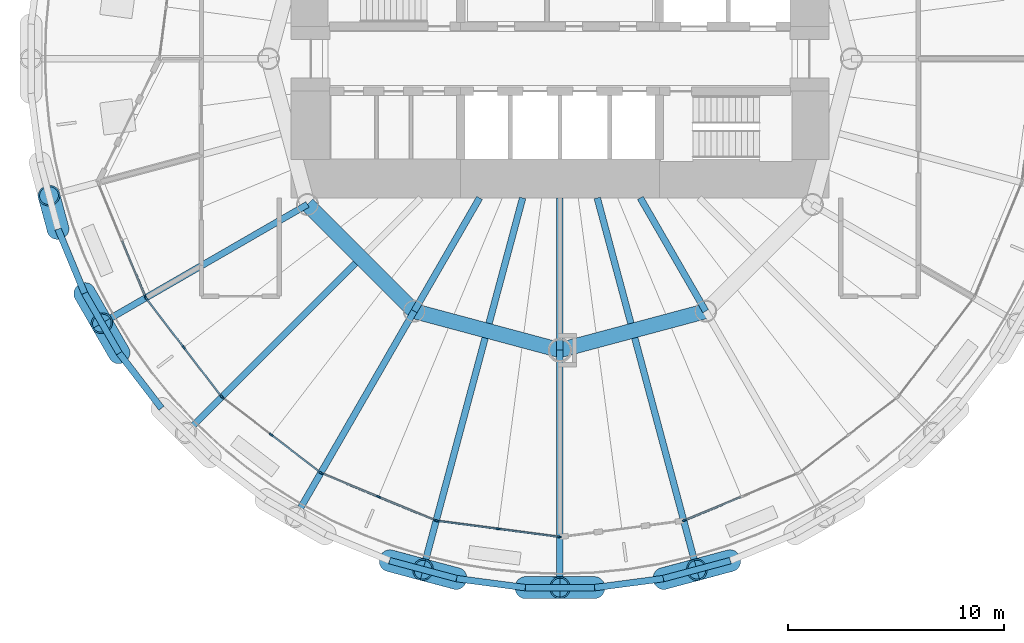
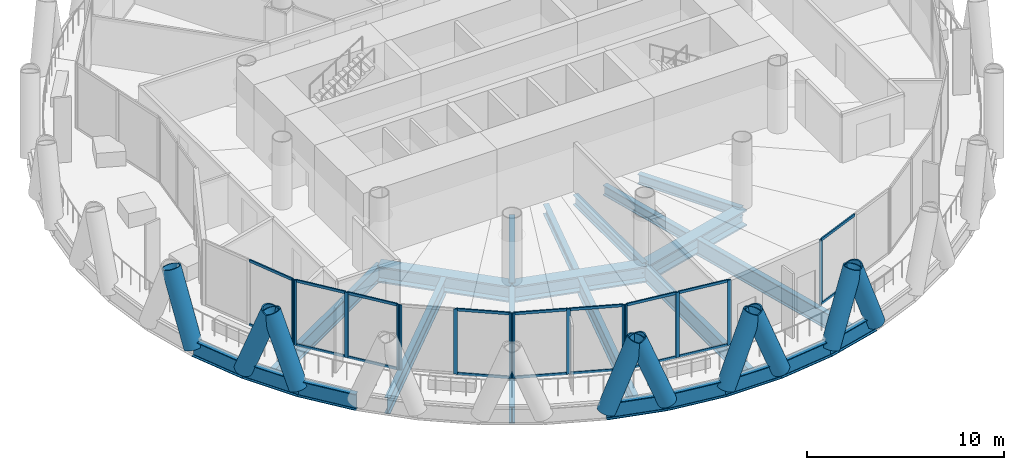
# One storey, part 2 of 16: 41 members, 22 beams, 6 elements without a shape of their own.
"""IFC4 building model written with IfcOpenShell, lengths in metres."""

from ifc_helpers import new_model, si_unit, direction, frame, origin, origin_2d, place, context, subcontext, project, spatial, rectangle, hollow_circle, i_section, extrude, material, material_profile, profile_set, type_object, element, aggregate, save


model = new_model("IFC4")

# Units and contexts
model_context = context("Model", 3, precision=1e-05, world=origin(), true_north=direction((0.0, 1.0)))
body_context = subcontext(model_context, "Body", "Model", "MODEL_VIEW")
ifc_project = project(units=[si_unit("LENGTHUNIT", "METRE"), si_unit("AREAUNIT", "SQUARE_METRE"), si_unit("VOLUMEUNIT", "CUBIC_METRE"), si_unit("PLANEANGLEUNIT", "RADIAN"), si_unit("MASSUNIT", "GRAM", prefix="KILO")], contexts=[model_context])

# Site, building, storey
site_placement = place(None, origin())
site = spatial("IfcSite", under=ifc_project, at=site_placement, CompositionType="ELEMENT")
building_placement = place(site_placement, origin())
building = spatial("IfcBuilding", under=site, at=building_placement, Name="Qaws Media Tower", CompositionType="ELEMENT")
storey_placement = place(building_placement, frame((0.0, 0.0, 173.0)))
storey = spatial("IfcBuildingStorey", under=building, at=storey_placement, Name="L39", CompositionType="ELEMENT", Elevation=173.0)

# Curtain wall, member
ifc_material_1 = material(Name="Aluminium and clear glass", Category="aluminium")
curtain_wall_type = type_object("IfcCurtainWallType", Name="Unitised curtain wall CW-B", PredefinedType="NOTDEFINED", material=ifc_material_1)
curtain_wall_1_placement = place(storey_placement, origin())
curtain_wall_1 = element("IfcCurtainWall", 1, at=curtain_wall_1_placement, inside=storey, type_object=curtain_wall_type, Name="CWB curtain wall L39-14", PredefinedType="NOTDEFINED")
ifc_material_2 = material(Name="Aluminium mullion", Category="aluminium")
ifc_material_profile_1 = material_profile(ifc_material_2, rectangle(XDim=0.080078125, YDim=0.199951171875, at=origin_2d()), Name="80x200")
ifc_profile_set_1 = profile_set([ifc_material_profile_1], Name="Aluminium mullion")
member_type_1 = type_object("IfcMemberType", Name="Curtain wall mullion 80x200", PredefinedType="MULLION", material=ifc_profile_set_1)
member_1_placement = place(storey_placement, frame((40.80224609375, 38.9619140625, 0.0), z_axis=(0.0, 0.0, 1.0), x_axis=(0.923879550605, 0.382683388683, 0.0)))
member_1 = element("IfcMember", 2, at=member_1_placement, type_object=member_type_1, Name="CWB mullion 3", PredefinedType="MULLION", context=body_context, shape_type="SweptSolid", body=[
    extrude(rectangle(XDim=0.080078125, YDim=0.199951171875, at=origin_2d()), origin(), (0.0, 0.0, 1.0), 4.0400390625),
])

# Curtain wall, members
curtain_wall_2_placement = place(storey_placement, origin())
curtain_wall_2 = element("IfcCurtainWall", 3, at=curtain_wall_2_placement, inside=storey, type_object=curtain_wall_type, Name="CWB curtain wall L39-15", PredefinedType="NOTDEFINED")
member_2_placement = place(storey_placement, frame((40.841796875, 38.893310546875, 0.0), z_axis=(0.0, 0.0, 1.0), x_axis=(0.793353284712, 0.60876150144, 0.0)))
member_2 = element("IfcMember", 4, at=member_2_placement, type_object=member_type_1, Name="CWB mullion 1", PredefinedType="MULLION", context=body_context, shape_type="SweptSolid", body=[
    extrude(rectangle(XDim=0.080078125, YDim=0.199951171875, at=origin_2d()), origin(), (0.0, 0.0, 1.0), 4.0400390625),
])
member_3_placement = place(storey_placement, frame((42.57763671875, 36.63134765625, 0.0), z_axis=(0.0, 0.0, 1.0), x_axis=(0.793353284712, 0.60876150144, 0.0)))
member_3 = element("IfcMember", 5, at=member_3_placement, type_object=member_type_1, Name="CWB mullion 2", PredefinedType="MULLION", context=body_context, shape_type="SweptSolid", body=[
    extrude(rectangle(XDim=0.080078125, YDim=0.199951171875, at=origin_2d()), origin(), (0.0, 0.0, 1.0), 4.0400390625),
])
member_4_placement = place(storey_placement, frame((44.313232421875, 34.369384765625, 0.0), z_axis=(0.0, 0.0, 1.0), x_axis=(0.793353284712, 0.60876150144, 0.0)))
member_4 = element("IfcMember", 6, at=member_4_placement, type_object=member_type_1, Name="CWB mullion 3", PredefinedType="MULLION", context=body_context, shape_type="SweptSolid", body=[
    extrude(rectangle(XDim=0.080078125, YDim=0.199951171875, at=origin_2d()), origin(), (0.0, 0.0, 1.0), 4.0400390625),
])

curtain_wall_3_placement = place(storey_placement, origin())
curtain_wall_3 = element("IfcCurtainWall", 7, at=curtain_wall_3_placement, inside=storey, type_object=curtain_wall_type, Name="CWB curtain wall L39-16", PredefinedType="NOTDEFINED")
member_5_placement = place(storey_placement, frame((44.369384765625, 34.313232421875, 0.0), z_axis=(0.0, 0.0, 1.0), x_axis=(0.60876150144, 0.793353284712, 0.0)))
member_5 = element("IfcMember", 8, at=member_5_placement, type_object=member_type_1, Name="CWB mullion 1", PredefinedType="MULLION", context=body_context, shape_type="SweptSolid", body=[
    extrude(rectangle(XDim=0.080078125, YDim=0.199951171875, at=origin_2d()), origin(), (0.0, 0.0, 1.0), 4.0400390625),
])
member_6_placement = place(storey_placement, frame((46.63134765625, 32.57763671875, 0.0), z_axis=(0.0, 0.0, 1.0), x_axis=(0.60876150144, 0.793353284712, 0.0)))
member_6 = element("IfcMember", 9, at=member_6_placement, type_object=member_type_1, Name="CWB mullion 2", PredefinedType="MULLION", context=body_context, shape_type="SweptSolid", body=[
    extrude(rectangle(XDim=0.080078125, YDim=0.199951171875, at=origin_2d()), origin(), (0.0, 0.0, 1.0), 4.0400390625),
])
member_7_placement = place(storey_placement, frame((48.893310546875, 30.841796875, 0.0), z_axis=(0.0, 0.0, 1.0), x_axis=(0.60876150144, 0.793353284712, 0.0)))
member_7 = element("IfcMember", 10, at=member_7_placement, type_object=member_type_1, Name="CWB mullion 3", PredefinedType="MULLION", context=body_context, shape_type="SweptSolid", body=[
    extrude(rectangle(XDim=0.080078125, YDim=0.199951171875, at=origin_2d()), origin(), (0.0, 0.0, 1.0), 4.0400390625),
])

curtain_wall_4_placement = place(storey_placement, origin())
curtain_wall_4 = element("IfcCurtainWall", 11, at=curtain_wall_4_placement, inside=storey, type_object=curtain_wall_type, Name="CWB curtain wall L39-17", PredefinedType="NOTDEFINED")
member_8_placement = place(storey_placement, frame((48.9619140625, 30.80224609375, 0.0), z_axis=(0.0, 0.0, 1.0), x_axis=(0.382683388683, 0.923879550605, 0.0)))
member_8 = element("IfcMember", 12, at=member_8_placement, type_object=member_type_1, Name="CWB mullion 1", PredefinedType="MULLION", context=body_context, shape_type="SweptSolid", body=[
    extrude(rectangle(XDim=0.080078125, YDim=0.199951171875, at=origin_2d()), origin(), (0.0, 0.0, 1.0), 4.0400390625),
])
member_9_placement = place(storey_placement, frame((51.59619140625, 29.711181640625, 0.0), z_axis=(0.0, 0.0, 1.0), x_axis=(0.382683388683, 0.923879550605, 0.0)))
member_9 = element("IfcMember", 13, at=member_9_placement, type_object=member_type_1, Name="CWB mullion 2", PredefinedType="MULLION", context=body_context, shape_type="SweptSolid", body=[
    extrude(rectangle(XDim=0.080078125, YDim=0.199951171875, at=origin_2d()), origin(), (0.0, 0.0, 1.0), 4.0400390625),
])
member_10_placement = place(storey_placement, frame((54.230224609375, 28.6201171875, 0.0), z_axis=(0.0, 0.0, 1.0), x_axis=(0.382683388683, 0.923879550605, 0.0)))
member_10 = element("IfcMember", 14, at=member_10_placement, type_object=member_type_1, Name="CWB mullion 3", PredefinedType="MULLION", context=body_context, shape_type="SweptSolid", body=[
    extrude(rectangle(XDim=0.080078125, YDim=0.199951171875, at=origin_2d()), origin(), (0.0, 0.0, 1.0), 4.0400390625),
])

curtain_wall_5_placement = place(storey_placement, origin())
curtain_wall_5 = element("IfcCurtainWall", 15, at=curtain_wall_5_placement, inside=storey, type_object=curtain_wall_type, Name="CWB curtain wall L39-18", PredefinedType="NOTDEFINED")
member_11_placement = place(storey_placement, frame((54.306884765625, 28.599609375, 0.0), z_axis=(0.0, 0.0, 1.0), x_axis=(0.13052619774, 0.991444860647, 0.0)))
member_11 = element("IfcMember", 16, at=member_11_placement, type_object=member_type_1, Name="CWB mullion 1", PredefinedType="MULLION", context=body_context, shape_type="SweptSolid", body=[
    extrude(rectangle(XDim=0.080078125, YDim=0.199951171875, at=origin_2d()), origin(), (0.0, 0.0, 1.0), 4.0400390625),
])
member_12_placement = place(storey_placement, frame((57.133544921875, 28.227294921875, 0.0), z_axis=(0.0, 0.0, 1.0), x_axis=(0.13052619774, 0.991444860647, 0.0)))
member_12 = element("IfcMember", 17, at=member_12_placement, type_object=member_type_1, Name="CWB mullion 2", PredefinedType="MULLION", context=body_context, shape_type="SweptSolid", body=[
    extrude(rectangle(XDim=0.080078125, YDim=0.199951171875, at=origin_2d()), origin(), (0.0, 0.0, 1.0), 4.0400390625),
])
member_13_placement = place(storey_placement, frame((59.96044921875, 27.855224609375, 0.0), z_axis=(0.0, 0.0, 1.0), x_axis=(0.13052619774, 0.991444860647, 0.0)))
member_13 = element("IfcMember", 18, at=member_13_placement, type_object=member_type_1, Name="CWB mullion 3", PredefinedType="MULLION", context=body_context, shape_type="SweptSolid", body=[
    extrude(rectangle(XDim=0.080078125, YDim=0.199951171875, at=origin_2d()), origin(), (0.0, 0.0, 1.0), 4.0400390625),
])

# Curtain wall, member
curtain_wall_6_placement = place(storey_placement, origin())
curtain_wall_6 = element("IfcCurtainWall", 19, at=curtain_wall_6_placement, inside=storey, type_object=curtain_wall_type, Name="CWB curtain wall L39-20", PredefinedType="NOTDEFINED")
member_14_placement = place(storey_placement, frame((65.769775390625, 28.6201171875, 0.0), z_axis=(0.0, 0.0, 1.0), x_axis=(-0.382683388683, 0.923879550605, 0.0)))
member_14 = element("IfcMember", 20, at=member_14_placement, type_object=member_type_1, Name="CWB mullion 1", PredefinedType="MULLION", context=body_context, shape_type="SweptSolid", body=[
    extrude(rectangle(XDim=0.080078125, YDim=0.199951171875, at=origin_2d()), origin(), (0.0, 0.0, 1.0), 4.0400390625),
])

# Member
ifc_material_3 = material(Name="Aluminium transom", Category="aluminium")
ifc_material_profile_2 = material_profile(ifc_material_3, rectangle(XDim=0.080078125, YDim=0.159912109375, at=origin_2d()), Name="80x160")
ifc_profile_set_2 = profile_set([ifc_material_profile_2], Name="Aluminium transom")
member_type_2 = type_object("IfcMemberType", Name="Curtain wall transom 80x160", PredefinedType="USERDEFINED", material=ifc_profile_set_2)
member_15_placement = place(storey_placement, frame((39.7265625, 41.55908203125, 0.0400390625), z_axis=(0.382650085398, -0.923893344572, 0.0), x_axis=(0.923893344572, 0.382650085398, 0.0)))
member_15 = element("IfcMember", 21, at=member_15_placement, type_object=member_type_2, Name="CWB transom 2.1", ObjectType="TRANSOM", PredefinedType="USERDEFINED", context=body_context, shape_type="SweptSolid", body=[
    extrude(rectangle(XDim=0.080078125, YDim=0.159912109375, at=origin_2d()), origin(), (0.0, 0.0, 1.0), 2.77099609375),
])

member_16_placement = place(storey_placement, frame((39.7265625, 41.55908203125, 4.0), z_axis=(0.382650085398, -0.923893344572, 0.0), x_axis=(0.923893344572, 0.382650085398, 0.0)))
member_16 = element("IfcMember", 22, at=member_16_placement, type_object=member_type_2, Name="CWB transom 2.2", ObjectType="TRANSOM", PredefinedType="USERDEFINED", context=body_context, shape_type="SweptSolid", body=[
    extrude(rectangle(XDim=0.080078125, YDim=0.159912109375, at=origin_2d()), origin(), (0.0, 0.0, 1.0), 2.77099609375),
])

aggregate(curtain_wall_1, [member_1, member_15, member_16])

member_17_placement = place(storey_placement, frame((40.8662109375, 38.861572265625, 0.0400390625), z_axis=(0.608773654447, -0.793343959233, 0.0), x_axis=(0.793343959233, 0.608773654447, 0.0)))
member_17 = element("IfcMember", 23, at=member_17_placement, type_object=member_type_2, Name="CWB transom 1.1", ObjectType="TRANSOM", PredefinedType="USERDEFINED", context=body_context, shape_type="SweptSolid", body=[
    extrude(rectangle(XDim=0.080078125, YDim=0.159912109375, at=origin_2d()), origin(), (0.0, 0.0, 1.0), 2.771240234375),
])

member_18_placement = place(storey_placement, frame((40.8662109375, 38.861572265625, 4.0), z_axis=(0.608773654447, -0.793343959233, 0.0), x_axis=(0.793343959233, 0.608773654447, 0.0)))
member_18 = element("IfcMember", 24, at=member_18_placement, type_object=member_type_2, Name="CWB transom 1.2", ObjectType="TRANSOM", PredefinedType="USERDEFINED", context=body_context, shape_type="SweptSolid", body=[
    extrude(rectangle(XDim=0.080078125, YDim=0.159912109375, at=origin_2d()), origin(), (0.0, 0.0, 1.0), 2.771240234375),
])

member_19_placement = place(storey_placement, frame((42.601806640625, 36.599609375, 0.0400390625), z_axis=(0.608773654447, -0.793343959233, 0.0), x_axis=(0.793343959233, 0.608773654447, 0.0)))
member_19 = element("IfcMember", 25, at=member_19_placement, type_object=member_type_2, Name="CWB transom 2.1", ObjectType="TRANSOM", PredefinedType="USERDEFINED", context=body_context, shape_type="SweptSolid", body=[
    extrude(rectangle(XDim=0.080078125, YDim=0.159912109375, at=origin_2d()), origin(), (0.0, 0.0, 1.0), 2.771240234375),
])

member_20_placement = place(storey_placement, frame((42.601806640625, 36.599609375, 4.0), z_axis=(0.608773654447, -0.793343959233, 0.0), x_axis=(0.793343959233, 0.608773654447, 0.0)))
member_20 = element("IfcMember", 26, at=member_20_placement, type_object=member_type_2, Name="CWB transom 2.2", ObjectType="TRANSOM", PredefinedType="USERDEFINED", context=body_context, shape_type="SweptSolid", body=[
    extrude(rectangle(XDim=0.080078125, YDim=0.159912109375, at=origin_2d()), origin(), (0.0, 0.0, 1.0), 2.771240234375),
])

aggregate(curtain_wall_2, [member_2, member_3, member_4, member_17, member_18, member_19, member_20])

member_21_placement = place(storey_placement, frame((46.6630859375, 32.55322265625, 0.0400390625), z_axis=(0.793343959233, -0.608773654447, 0.0), x_axis=(0.608773654447, 0.793343959233, 0.0)))
member_21 = element("IfcMember", 27, at=member_21_placement, type_object=member_type_2, Name="CWB transom 2.1", ObjectType="TRANSOM", PredefinedType="USERDEFINED", context=body_context, shape_type="SweptSolid", body=[
    extrude(rectangle(XDim=0.080078125, YDim=0.159912109375, at=origin_2d()), origin(), (0.0, 0.0, 1.0), 2.771240234375),
])

member_22_placement = place(storey_placement, frame((46.6630859375, 32.55322265625, 4.0), z_axis=(0.793343959233, -0.608773654447, 0.0), x_axis=(0.608773654447, 0.793343959233, 0.0)))
member_22 = element("IfcMember", 28, at=member_22_placement, type_object=member_type_2, Name="CWB transom 2.2", ObjectType="TRANSOM", PredefinedType="USERDEFINED", context=body_context, shape_type="SweptSolid", body=[
    extrude(rectangle(XDim=0.080078125, YDim=0.159912109375, at=origin_2d()), origin(), (0.0, 0.0, 1.0), 2.771240234375),
])

aggregate(curtain_wall_3, [member_5, member_6, member_7, member_21, member_22])

member_23_placement = place(storey_placement, frame((48.9990234375, 30.786865234375, 0.0400390625), z_axis=(0.923893344572, -0.382650085398, 0.0), x_axis=(0.382650085398, 0.923893344572, 0.0)))
member_23 = element("IfcMember", 29, at=member_23_placement, type_object=member_type_2, Name="CWB transom 1.1", ObjectType="TRANSOM", PredefinedType="USERDEFINED", context=body_context, shape_type="SweptSolid", body=[
    extrude(rectangle(XDim=0.080078125, YDim=0.159912109375, at=origin_2d()), origin(), (0.0, 0.0, 1.0), 2.77099609375),
])

member_24_placement = place(storey_placement, frame((48.9990234375, 30.786865234375, 4.0), z_axis=(0.923893344572, -0.382650085398, 0.0), x_axis=(0.382650085398, 0.923893344572, 0.0)))
member_24 = element("IfcMember", 30, at=member_24_placement, type_object=member_type_2, Name="CWB transom 1.2", ObjectType="TRANSOM", PredefinedType="USERDEFINED", context=body_context, shape_type="SweptSolid", body=[
    extrude(rectangle(XDim=0.080078125, YDim=0.159912109375, at=origin_2d()), origin(), (0.0, 0.0, 1.0), 2.77099609375),
])

member_25_placement = place(storey_placement, frame((51.633056640625, 29.69580078125, 0.0400390625), z_axis=(0.923875098, -0.382694138048, 0.0), x_axis=(0.382694138048, 0.923875098, 0.0)))
member_25 = element("IfcMember", 31, at=member_25_placement, type_object=member_type_2, Name="CWB transom 2.1", ObjectType="TRANSOM", PredefinedType="USERDEFINED", context=body_context, shape_type="SweptSolid", body=[
    extrude(rectangle(XDim=0.080078125, YDim=0.159912109375, at=origin_2d()), origin(), (0.0, 0.0, 1.0), 2.771240234375),
])

member_26_placement = place(storey_placement, frame((51.633056640625, 29.69580078125, 4.0), z_axis=(0.923875098, -0.382694138048, 0.0), x_axis=(0.382694138048, 0.923875098, 0.0)))
member_26 = element("IfcMember", 32, at=member_26_placement, type_object=member_type_2, Name="CWB transom 2.2", ObjectType="TRANSOM", PredefinedType="USERDEFINED", context=body_context, shape_type="SweptSolid", body=[
    extrude(rectangle(XDim=0.080078125, YDim=0.159912109375, at=origin_2d()), origin(), (0.0, 0.0, 1.0), 2.771240234375),
])

aggregate(curtain_wall_4, [member_8, member_9, member_10, member_23, member_24, member_25, member_26])

member_27_placement = place(storey_placement, frame((54.346435546875, 28.59423828125, 0.0400390625), z_axis=(0.991451896526, -0.130472743803, 0.0), x_axis=(0.130472743803, 0.991451896526, 0.0)))
member_27 = element("IfcMember", 33, at=member_27_placement, type_object=member_type_2, Name="CWB transom 1.1", ObjectType="TRANSOM", PredefinedType="USERDEFINED", context=body_context, shape_type="SweptSolid", body=[
    extrude(rectangle(XDim=0.080078125, YDim=0.159912109375, at=origin_2d()), origin(), (0.0, 0.0, 1.0), 2.771240234375),
])

member_28_placement = place(storey_placement, frame((54.346435546875, 28.59423828125, 4.0), z_axis=(0.991451896526, -0.130472743803, 0.0), x_axis=(0.130472743803, 0.991451896526, 0.0)))
member_28 = element("IfcMember", 34, at=member_28_placement, type_object=member_type_2, Name="CWB transom 1.2", ObjectType="TRANSOM", PredefinedType="USERDEFINED", context=body_context, shape_type="SweptSolid", body=[
    extrude(rectangle(XDim=0.080078125, YDim=0.159912109375, at=origin_2d()), origin(), (0.0, 0.0, 1.0), 2.771240234375),
])

member_29_placement = place(storey_placement, frame((57.17333984375, 28.22216796875, 0.0400390625), z_axis=(0.991438994906, -0.13057074473, 0.0), x_axis=(0.13057074473, 0.991438994906, 0.0)))
member_29 = element("IfcMember", 35, at=member_29_placement, type_object=member_type_2, Name="CWB transom 2.1", ObjectType="TRANSOM", PredefinedType="USERDEFINED", context=body_context, shape_type="SweptSolid", body=[
    extrude(rectangle(XDim=0.080078125, YDim=0.159912109375, at=origin_2d()), origin(), (0.0, 0.0, 1.0), 2.77099609375),
])

member_30_placement = place(storey_placement, frame((57.17333984375, 28.22216796875, 4.0), z_axis=(0.991438994906, -0.13057074473, 0.0), x_axis=(0.13057074473, 0.991438994906, 0.0)))
member_30 = element("IfcMember", 36, at=member_30_placement, type_object=member_type_2, Name="CWB transom 2.2", ObjectType="TRANSOM", PredefinedType="USERDEFINED", context=body_context, shape_type="SweptSolid", body=[
    extrude(rectangle(XDim=0.080078125, YDim=0.159912109375, at=origin_2d()), origin(), (0.0, 0.0, 1.0), 2.77099609375),
])

aggregate(curtain_wall_5, [member_11, member_12, member_13, member_27, member_28, member_29, member_30])

member_31_placement = place(storey_placement, frame((65.806640625, 28.63525390625, 0.0400390625), z_axis=(0.923875098, 0.382694138048, 0.0), x_axis=(-0.382694138048, 0.923875098, 0.0)))
member_31 = element("IfcMember", 37, at=member_31_placement, type_object=member_type_2, Name="CWB transom 1.1", ObjectType="TRANSOM", PredefinedType="USERDEFINED", context=body_context, shape_type="SweptSolid", body=[
    extrude(rectangle(XDim=0.080078125, YDim=0.159912109375, at=origin_2d()), origin(), (0.0, 0.0, 1.0), 2.771240234375),
])

member_32_placement = place(storey_placement, frame((65.806640625, 28.63525390625, 4.0), z_axis=(0.923875098, 0.382694138048, 0.0), x_axis=(-0.382694138048, 0.923875098, 0.0)))
member_32 = element("IfcMember", 38, at=member_32_placement, type_object=member_type_2, Name="CWB transom 1.2", ObjectType="TRANSOM", PredefinedType="USERDEFINED", context=body_context, shape_type="SweptSolid", body=[
    extrude(rectangle(XDim=0.080078125, YDim=0.159912109375, at=origin_2d()), origin(), (0.0, 0.0, 1.0), 2.771240234375),
])

aggregate(curtain_wall_6, [member_14, member_31, member_32])

# Members
ifc_material_4 = material(Name="Steel S460", Category="steel")
ifc_material_profile_3 = material_profile(ifc_material_4, hollow_circle(Radius=0.508056640625, WallThickness=0.070068359375, at=origin_2d()), Name="CHS 1016x70")
ifc_profile_set_3 = profile_set([ifc_material_profile_3], Name="Steel S460")
member_type_3 = type_object("IfcMemberType", Name="Diagrid member CHS 1016x70", PredefinedType="USERDEFINED", material=ifc_profile_set_3)
for number, where, z_axis, x_axis, name in (
    (39, (37.981689453125, 39.141845703125, -0.6640625), (0.178091829357, -0.309543146087, 0.934059067204), (0.866779801332, 0.498691062685, 0.0), "DG3 diagrid L39 A14"),
    (40, (36.7529296875, 42.108642578125, -0.6640625), (-0.093009945788, 0.344782928051, 0.934063104136), (-0.965486453387, -0.260453274748, 0.0), "DG3 diagrid L39 B14"),
    (41, (39.58740234375, 36.36083984375, -0.6640625), (-0.179018426595, 0.308952031339, 0.934077644134), (-0.865242299532, -0.501353929975, 0.0), "DG3 diagrid L39 B15"),
    (42, (52.108642578125, 26.7529296875, -0.6640625), (0.344782928051, -0.093009945788, 0.934063104136), (0.260453274748, 0.965486453387, 0.0), "DG3 diagrid L39 A17"),
    (43, (58.394287109375, 25.50244140625, -0.6640625), (0.357108154799, -0.000542965113, 0.934062883839), (0.001520448296, 0.999998844118, 0.0), "DG3 diagrid L39 A18"),
    (44, (55.21044921875, 25.921630859375, -0.6640625), (-0.345058469608, 0.091870799461, 0.934074091686), (-0.257284060318, -0.966335817564, 0.0), "DG3 diagrid L39 B18"),
    (45, (64.78955078125, 25.921630859375, -0.6640625), (0.345058469608, 0.091870799461, 0.934074091686), (-0.257284060318, 0.966335817564, 0.0), "DG3 diagrid L39 A19"),
    (46, (61.605712890625, 25.50244140625, -0.6640625), (-0.357108154799, -0.000542965113, 0.934062883839), (0.001520448296, -0.999998844118, 0.0), "DG3 diagrid L39 B19"),
    (47, (67.891357421875, 26.7529296875, -0.6640625), (-0.344782928051, -0.093009945788, 0.934063104136), (0.260453274748, -0.965486453387, 0.0), "DG3 diagrid L39 B20"),
):
    element("IfcMember", number, at=place(storey_placement, frame(where, z_axis=z_axis, x_axis=x_axis)), inside=storey, type_object=member_type_3, Name=name, ObjectType="DIAGRID", PredefinedType="USERDEFINED", context=body_context, shape_type="SweptSolid", body=[
        extrude(hollow_circle(Radius=0.508056640625, WallThickness=0.070068359375, at=origin_2d()), origin(), (0.0, 0.0, 1.0), 4.496337890625),
    ])

# Beams
ifc_material_5 = material(Name="Steel S460", Category="steel")
ifc_material_profile_4 = material_profile(ifc_material_5, i_section(OverallWidth=0.302001953125, OverallDepth=1.008056640625, WebThickness=0.02099609375, FlangeThickness=0.0400390625, FilletRadius=0.030029296875, at=origin_2d()), Name="HE 1000 M")
ifc_profile_set_4 = profile_set([ifc_material_profile_4], Name="Steel S460")
beam_type_1 = type_object("IfcBeamType", Name="Edge ring beam HE 1000 M", PredefinedType="BEAM", material=ifc_profile_set_4)
for number, where, z_axis, x_axis, name in (
    (48, (36.7529296875, 42.108642578125, -0.6640625), (0.382649478893, -0.923893595769, 0.0), (0.923893595769, 0.382649478893, 0.0), "RB3 edge ring beam L39-27"),
    (49, (37.981689453125, 39.141845703125, -0.6640625), (0.500022983452, -0.866012133876, 0.0), (0.866012133876, 0.500022983452, 0.0), "RB3 edge ring beam L39-28"),
):
    element("IfcBeam", number, at=place(storey_placement, frame(where, z_axis=z_axis, x_axis=x_axis)), inside=storey, type_object=beam_type_1, Name=name, PredefinedType="BEAM", context=body_context, shape_type="SweptSolid", body=[
        extrude(i_section(OverallWidth=0.302001953125, OverallDepth=1.008056640625, WebThickness=0.02099609375, FlangeThickness=0.0400390625, FilletRadius=0.030029296875, at=origin_2d()), origin(), (0.0, 0.0, 1.0), 3.211181640625),
    ])
beam_1_placement = place(storey_placement, frame((39.58740234375, 36.36083984375, -0.6640625), z_axis=(0.608721978441, -0.793383610218, 0.0), x_axis=(0.793383610218, 0.608721978441, 0.0)))
element("IfcBeam", 50, at=beam_1_placement, inside=storey, type_object=beam_type_1, Name="RB3 edge ring beam L39-29", PredefinedType="BEAM", context=body_context, shape_type="SweptSolid", body=[
    extrude(i_section(OverallWidth=0.302001953125, OverallDepth=1.008056640625, WebThickness=0.02099609375, FlangeThickness=0.0400390625, FilletRadius=0.030029296875, at=origin_2d()), origin(), (0.0, 0.0, 1.0), 3.21142578125),
])
beam_2_placement = place(storey_placement, frame((52.108642578125, 26.7529296875, -0.6640625), z_axis=(0.965912415685, -0.258869088973, 0.0), x_axis=(0.258869088973, 0.965912415685, 0.0)))
element("IfcBeam", 51, at=beam_2_placement, inside=storey, type_object=beam_type_1, Name="RB3 edge ring beam L39-34", PredefinedType="BEAM", context=body_context, shape_type="SweptSolid", body=[
    extrude(i_section(OverallWidth=0.302001953125, OverallDepth=1.008056640625, WebThickness=0.02099609375, FlangeThickness=0.0400390625, FilletRadius=0.030029296875, at=origin_2d()), origin(), (0.0, 0.0, 1.0), 3.211181640625),
])
for number, where, z_axis, x_axis, name in (
    (52, (55.21044921875, 25.921630859375, -0.6640625), (0.991443682903, -0.130535143282, 0.0), (0.130535143282, 0.991443682903, 0.0), "RB3 edge ring beam L39-35"),
    (53, (58.394287109375, 25.50244140625, -0.6640625), (1.0, 0.0, 0.0), (0.0, 1.0, 0.0), "RB3 edge ring beam L39-36"),
    (54, (61.605712890625, 25.50244140625, -0.6640625), (0.991443682903, 0.130535143282, 0.0), (-0.130535143282, 0.991443682903, 0.0), "RB3 edge ring beam L39-37"),
):
    element("IfcBeam", number, at=place(storey_placement, frame(where, z_axis=z_axis, x_axis=x_axis)), inside=storey, type_object=beam_type_1, Name=name, PredefinedType="BEAM", context=body_context, shape_type="SweptSolid", body=[
        extrude(i_section(OverallWidth=0.302001953125, OverallDepth=1.008056640625, WebThickness=0.02099609375, FlangeThickness=0.0400390625, FilletRadius=0.030029296875, at=origin_2d()), origin(), (0.0, 0.0, 1.0), 3.21142578125),
    ])
beam_3_placement = place(storey_placement, frame((64.78955078125, 25.921630859375, -0.6640625), z_axis=(0.965912415685, 0.258869088973, 0.0), x_axis=(-0.258869088973, 0.965912415685, 0.0)))
element("IfcBeam", 55, at=beam_3_placement, inside=storey, type_object=beam_type_1, Name="RB3 edge ring beam L39-38", PredefinedType="BEAM", context=body_context, shape_type="SweptSolid", body=[
    extrude(i_section(OverallWidth=0.302001953125, OverallDepth=1.008056640625, WebThickness=0.02099609375, FlangeThickness=0.0400390625, FilletRadius=0.030029296875, at=origin_2d()), origin(), (0.0, 0.0, 1.0), 3.211181640625),
])
ifc_material_6 = material(Name="Steel S460", Category="steel")
ifc_material_profile_5 = material_profile(ifc_material_6, i_section(OverallWidth=0.699951171875, OverallDepth=1.0, WebThickness=0.034912109375, FlangeThickness=0.090087890625, at=origin_2d()), Name="PG 1000x700")
ifc_profile_set_5 = profile_set([ifc_material_profile_5], Name="Steel S460")
beam_type_2 = type_object("IfcBeamType", Name="Inner ring girder PG 1000x700", PredefinedType="BEAM", material=ifc_profile_set_5)
beam_4_placement = place(storey_placement, frame((48.30859375, 43.25, -0.659912109375), z_axis=(0.707106781187, -0.707106781187, 0.0), x_axis=(0.707106781187, 0.707106781187, 0.0)))
element("IfcBeam", 56, at=beam_4_placement, inside=storey, type_object=beam_type_2, Name="B3 inner ring beam L39 I08-I09", PredefinedType="BEAM", context=body_context, shape_type="SweptSolid", body=[
    extrude(i_section(OverallWidth=0.699951171875, OverallDepth=1.0, WebThickness=0.034912109375, FlangeThickness=0.090087890625, at=origin_2d()), origin(), (0.0, 0.0, 1.0), 6.98828125),
])
for number, where, z_axis, x_axis, name in (
    (57, (53.25, 38.30859375, -0.659912109375), (0.965928090778, -0.258810593767, 0.0), (0.258810593767, 0.965928090778, 0.0), "B3 inner ring beam L39 I09-I10"),
    (58, (60.0, 36.5, -0.659912109375), (0.965928090778, 0.258810593767, 0.0), (-0.258810593767, 0.965928090778, 0.0), "B3 inner ring beam L39 I10-I11"),
):
    element("IfcBeam", number, at=place(storey_placement, frame(where, z_axis=z_axis, x_axis=x_axis)), inside=storey, type_object=beam_type_2, Name=name, PredefinedType="BEAM", context=body_context, shape_type="SweptSolid", body=[
        extrude(i_section(OverallWidth=0.699951171875, OverallDepth=1.0, WebThickness=0.034912109375, FlangeThickness=0.090087890625, at=origin_2d()), origin(), (0.0, 0.0, 1.0), 6.988037109375),
    ])
ifc_material_7 = material(Name="Steel S355", Category="steel")
ifc_material_profile_6 = material_profile(ifc_material_7, i_section(OverallWidth=0.302001953125, OverallDepth=1.008056640625, WebThickness=0.02099609375, FlangeThickness=0.0400390625, FilletRadius=0.030029296875, at=origin_2d()), Name="HE 1000 M")
ifc_profile_set_6 = profile_set([ifc_material_profile_6], Name="Steel S355")
beam_type_3 = type_object("IfcBeamType", Name="Radial beam HE 1000 M", PredefinedType="BEAM", material=ifc_profile_set_6)
beam_5_placement = place(storey_placement, frame((48.30859375, 43.25, -0.6640625), z_axis=(-0.866019962865, -0.50000942383, 0.0), x_axis=(0.50000942383, -0.866019962865, 0.0)))
element("IfcBeam", 59, at=beam_5_placement, inside=storey, type_object=beam_type_3, Name="B1 radial beam L39 15", PredefinedType="BEAM", context=body_context, shape_type="SweptSolid", body=[
    extrude(i_section(OverallWidth=0.302001953125, OverallDepth=1.008056640625, WebThickness=0.02099609375, FlangeThickness=0.0400390625, FilletRadius=0.030029296875, at=origin_2d()), origin(), (0.0, 0.0, 1.0), 10.997314453125),
])
beam_6_placement = place(storey_placement, frame((50.53173828125, 40.53173828125, -0.6640625), z_axis=(-0.707106781187, -0.707106781187, 0.0), x_axis=(0.707106781187, -0.707106781187, 0.0)))
element("IfcBeam", 60, at=beam_6_placement, inside=storey, type_object=beam_type_3, Name="B1 radial beam L39 16", PredefinedType="BEAM", context=body_context, shape_type="SweptSolid", body=[
    extrude(i_section(OverallWidth=0.302001953125, OverallDepth=1.008056640625, WebThickness=0.02099609375, FlangeThickness=0.0400390625, FilletRadius=0.030029296875, at=origin_2d()), origin(), (0.0, 0.0, 1.0), 11.107177734375),
])
beam_7_placement = place(storey_placement, frame((53.25, 38.30859375, -0.6640625), z_axis=(-0.50000942383, -0.866019962865, 0.0), x_axis=(0.866019962865, -0.50000942383, 0.0)))
element("IfcBeam", 61, at=beam_7_placement, inside=storey, type_object=beam_type_3, Name="B1 radial beam L39 17", PredefinedType="BEAM", context=body_context, shape_type="SweptSolid", body=[
    extrude(i_section(OverallWidth=0.302001953125, OverallDepth=1.008056640625, WebThickness=0.02099609375, FlangeThickness=0.0400390625, FilletRadius=0.030029296875, at=origin_2d()), origin(), (0.0, 0.0, 1.0), 10.997314453125),
])
beam_8_placement = place(storey_placement, frame((56.534423828125, 37.066162109375, -0.6640625), z_axis=(-0.258818486028, -0.965925976093, 0.0), x_axis=(0.965925976093, -0.258818486028, 0.0)))
element("IfcBeam", 62, at=beam_8_placement, inside=storey, type_object=beam_type_3, Name="B1 radial beam L39 18", PredefinedType="BEAM", context=body_context, shape_type="SweptSolid", body=[
    extrude(i_section(OverallWidth=0.302001953125, OverallDepth=1.008056640625, WebThickness=0.02099609375, FlangeThickness=0.0400390625, FilletRadius=0.030029296875, at=origin_2d()), origin(), (0.0, 0.0, 1.0), 11.107177734375),
])
beam_9_placement = place(storey_placement, frame((60.0, 36.5, -0.6640625), z_axis=(0.0, -1.0, 0.0), x_axis=(1.0, 0.0, 0.0)))
element("IfcBeam", 63, at=beam_9_placement, inside=storey, type_object=beam_type_3, Name="B1 radial beam L39 19", PredefinedType="BEAM", context=body_context, shape_type="SweptSolid", body=[
    extrude(i_section(OverallWidth=0.302001953125, OverallDepth=1.008056640625, WebThickness=0.02099609375, FlangeThickness=0.0400390625, FilletRadius=0.030029296875, at=origin_2d()), origin(), (0.0, 0.0, 1.0), 10.99755859375),
])
beam_10_placement = place(storey_placement, frame((63.465576171875, 37.066162109375, -0.6640625), z_axis=(0.258818486028, -0.965925976093, 0.0), x_axis=(0.965925976093, 0.258818486028, 0.0)))
element("IfcBeam", 64, at=beam_10_placement, inside=storey, type_object=beam_type_3, Name="B1 radial beam L39 20", PredefinedType="BEAM", context=body_context, shape_type="SweptSolid", body=[
    extrude(i_section(OverallWidth=0.302001953125, OverallDepth=1.008056640625, WebThickness=0.02099609375, FlangeThickness=0.0400390625, FilletRadius=0.030029296875, at=origin_2d()), origin(), (0.0, 0.0, 1.0), 11.107177734375),
])
ifc_material_8 = material(Name="Steel S355", Category="steel")
ifc_material_profile_7 = material_profile(ifc_material_8, i_section(OverallWidth=0.304931640625, OverallDepth=0.6201171875, WebThickness=0.02099609375, FlangeThickness=0.0400390625, FilletRadius=0.027099609375, at=origin_2d()), Name="HE 600 M")
ifc_profile_set_7 = profile_set([ifc_material_profile_7], Name="Steel S355")
beam_type_4 = type_object("IfcBeamType", Name="Radial beam HE 600 M, core side", PredefinedType="BEAM", material=ifc_profile_set_7)
beam_11_placement = place(storey_placement, frame((56.276123046875, 43.550048828125, -0.469970703125), z_axis=(-0.499995978368, -0.866027725662, 0.0), x_axis=(0.866027725662, -0.499995978368, 0.0)))
element("IfcBeam", 65, at=beam_11_placement, inside=storey, type_object=beam_type_4, Name="B2 radial beam L39 17", PredefinedType="BEAM", context=body_context, shape_type="SweptSolid", body=[
    extrude(i_section(OverallWidth=0.304931640625, OverallDepth=0.6201171875, WebThickness=0.02099609375, FlangeThickness=0.0400390625, FilletRadius=0.027099609375, at=origin_2d()), origin(), (0.0, 0.0, 1.0), 6.05224609375),
])
beam_12_placement = place(storey_placement, frame((58.271728515625, 43.550048828125, -0.469970703125), z_axis=(-0.258819977482, -0.965925576458, 0.0), x_axis=(0.965925576458, -0.258819977482, 0.0)))
element("IfcBeam", 66, at=beam_12_placement, inside=storey, type_object=beam_type_4, Name="B2 radial beam L39 18", PredefinedType="BEAM", context=body_context, shape_type="SweptSolid", body=[
    extrude(i_section(OverallWidth=0.304931640625, OverallDepth=0.6201171875, WebThickness=0.02099609375, FlangeThickness=0.0400390625, FilletRadius=0.027099609375, at=origin_2d()), origin(), (0.0, 0.0, 1.0), 6.012451171875),
])
beam_13_placement = place(storey_placement, frame((60.0, 43.550048828125, -0.469970703125), z_axis=(0.0, -1.0, 0.0), x_axis=(1.0, 0.0, 0.0)))
element("IfcBeam", 67, at=beam_13_placement, inside=storey, type_object=beam_type_4, Name="B2 radial beam L39 19", PredefinedType="BEAM", context=body_context, shape_type="SweptSolid", body=[
    extrude(i_section(OverallWidth=0.304931640625, OverallDepth=0.6201171875, WebThickness=0.02099609375, FlangeThickness=0.0400390625, FilletRadius=0.027099609375, at=origin_2d()), origin(), (0.0, 0.0, 1.0), 7.050048828125),
])
beam_14_placement = place(storey_placement, frame((61.728271484375, 43.550048828125, -0.469970703125), z_axis=(0.258819977482, -0.965925576458, 0.0), x_axis=(0.965925576458, 0.258819977482, 0.0)))
element("IfcBeam", 68, at=beam_14_placement, inside=storey, type_object=beam_type_4, Name="B2 radial beam L39 20", PredefinedType="BEAM", context=body_context, shape_type="SweptSolid", body=[
    extrude(i_section(OverallWidth=0.304931640625, OverallDepth=0.6201171875, WebThickness=0.02099609375, FlangeThickness=0.0400390625, FilletRadius=0.027099609375, at=origin_2d()), origin(), (0.0, 0.0, 1.0), 6.012451171875),
])
beam_15_placement = place(storey_placement, frame((63.723876953125, 43.550048828125, -0.469970703125), z_axis=(0.499995978368, -0.866027725662, 0.0), x_axis=(0.866027725662, 0.499995978368, 0.0)))
element("IfcBeam", 69, at=beam_15_placement, inside=storey, type_object=beam_type_4, Name="B2 radial beam L39 21", PredefinedType="BEAM", context=body_context, shape_type="SweptSolid", body=[
    extrude(i_section(OverallWidth=0.304931640625, OverallDepth=0.6201171875, WebThickness=0.02099609375, FlangeThickness=0.0400390625, FilletRadius=0.027099609375, at=origin_2d()), origin(), (0.0, 0.0, 1.0), 6.05224609375),
])

save(model, "model.ifc")
